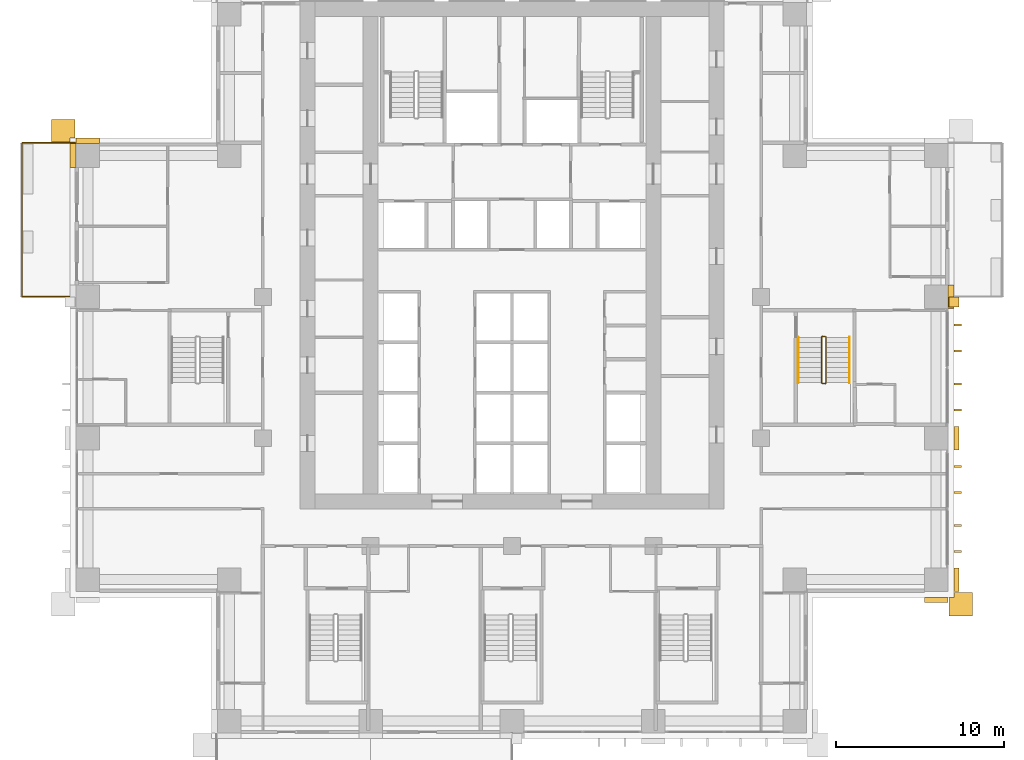
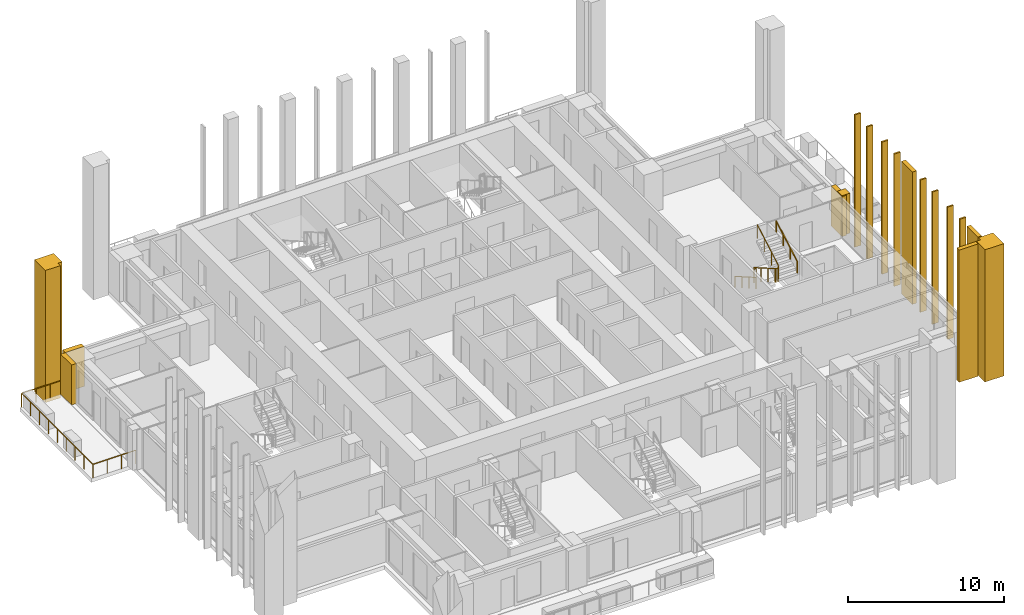
# One storey, part 15 of 17: 17 coverings, 4 railings.
"""IFC4 building model written with IfcOpenShell, lengths in metres."""

from ifc_helpers import new_model, si_unit, direction, frame, origin, origin_2d, place, context, subcontext, project, spatial, polyline, rectangle, outline, extrude, material, layer, layer_set, type_object, element, save


model = new_model("IFC4")

# Units and contexts
model_context = context("Model", 3, precision=1e-05, world=origin(), true_north=direction((0.0, 1.0)))
body_context = subcontext(model_context, "Body", "Model", "MODEL_VIEW")
ifc_project = project(units=[si_unit("LENGTHUNIT", "METRE"), si_unit("AREAUNIT", "SQUARE_METRE"), si_unit("VOLUMEUNIT", "CUBIC_METRE"), si_unit("PLANEANGLEUNIT", "RADIAN"), si_unit("MASSUNIT", "GRAM", prefix="KILO")], contexts=[model_context])

# Site, building, storey
site_placement = place(None, origin())
site = spatial("IfcSite", under=ifc_project, at=site_placement, CompositionType="ELEMENT")
building_placement = place(site_placement, origin())
building = spatial("IfcBuilding", under=site, at=building_placement, Name="Vermilion Ogive Tower", CompositionType="ELEMENT")
storey_placement = place(building_placement, frame((0.0, 0.0, 37.949951171875)))
storey = spatial("IfcBuildingStorey", under=building, at=storey_placement, Name="L07", CompositionType="ELEMENT", Elevation=37.949951171875)

# Railing
ifc_material_1 = material(Name="Stainless steel and glass", Category="steel")
railing_type_1 = type_object("IfcRailingType", Name="Balcony guard", PredefinedType="GUARDRAIL", material=ifc_material_1)
railing_1_placement = place(storey_placement, frame((-25.949951171875, 13.35009765625, -0.0400390625)))
element("IfcRailing", 1, at=railing_1_placement, inside=storey, type_object=railing_type_1, Name="Guard W01", PredefinedType="GUARDRAIL", context=body_context, shape_type="SweptSolid", body=[
    extrude(rectangle(XDim=0.048095703125, YDim=0.048095703125, at=origin_2d()), frame((0.0, 0.0, 1.076171875), z_axis=(-1.0, 0.0, 0.0), x_axis=(0.0, -1.0, 0.0)), (0.0, 0.0, 1.0), 3.16015625),
    extrude(rectangle(XDim=0.048095703125, YDim=0.048095703125, at=origin_2d()), frame((-3.16015625, 0.0, 1.076171875), z_axis=(0.0, -1.0, 0.0), x_axis=(1.0, 0.0, 0.0)), (0.0, 0.0, 1.0), 9.150146484375),
    extrude(rectangle(XDim=0.048095703125, YDim=0.048095703125, at=origin_2d()), frame((-3.16015625, -9.150146484375, 1.076171875), z_axis=(1.0, 0.0, 0.0), x_axis=(0.0, 1.0, 0.0)), (0.0, 0.0, 1.0), 3.16015625),
    extrude(rectangle(XDim=0.0419921875, YDim=0.0419921875, at=origin_2d()), origin(), (0.0, 0.0, 1.0), 1.052001953125),
    extrude(rectangle(XDim=0.0419921875, YDim=0.0419921875, at=origin_2d()), frame((-1.053466796875, 0.0, 0.0)), (0.0, 0.0, 1.0), 1.052001953125),
    extrude(rectangle(XDim=0.0419921875, YDim=0.0419921875, at=origin_2d()), frame((-2.106689453125, 0.0, 0.0)), (0.0, 0.0, 1.0), 1.052001953125),
    extrude(rectangle(XDim=0.0419921875, YDim=0.0419921875, at=origin_2d()), frame((-3.16015625, 0.0, 0.0)), (0.0, 0.0, 1.0), 1.052001953125),
    extrude(rectangle(XDim=0.0419921875, YDim=0.0419921875, at=origin_2d()), frame((-3.16015625, -1.143798828125, 0.0)), (0.0, 0.0, 1.0), 1.052001953125),
    extrude(rectangle(XDim=0.0419921875, YDim=0.0419921875, at=origin_2d()), frame((-3.16015625, -2.28759765625, 0.0)), (0.0, 0.0, 1.0), 1.052001953125),
    extrude(rectangle(XDim=0.0419921875, YDim=0.0419921875, at=origin_2d()), frame((-3.16015625, -3.431396484375, 0.0)), (0.0, 0.0, 1.0), 1.052001953125),
    extrude(rectangle(XDim=0.0419921875, YDim=0.0419921875, at=origin_2d()), frame((-3.16015625, -4.5751953125, 0.0)), (0.0, 0.0, 1.0), 1.052001953125),
    extrude(rectangle(XDim=0.0419921875, YDim=0.0419921875, at=origin_2d()), frame((-3.16015625, -5.71875, 0.0)), (0.0, 0.0, 1.0), 1.052001953125),
    extrude(rectangle(XDim=0.0419921875, YDim=0.0419921875, at=origin_2d()), frame((-3.16015625, -6.862548828125, 0.0)), (0.0, 0.0, 1.0), 1.052001953125),
    extrude(rectangle(XDim=0.0419921875, YDim=0.0419921875, at=origin_2d()), frame((-3.16015625, -8.00634765625, 0.0)), (0.0, 0.0, 1.0), 1.052001953125),
    extrude(rectangle(XDim=0.0419921875, YDim=0.0419921875, at=origin_2d()), frame((-3.16015625, -9.150146484375, 0.0)), (0.0, 0.0, 1.0), 1.052001953125),
    extrude(rectangle(XDim=0.0419921875, YDim=0.0419921875, at=origin_2d()), frame((-2.106689453125, -9.150146484375, 0.0)), (0.0, 0.0, 1.0), 1.052001953125),
    extrude(rectangle(XDim=0.0419921875, YDim=0.0419921875, at=origin_2d()), frame((-1.053466796875, -9.150146484375, 0.0)), (0.0, 0.0, 1.0), 1.052001953125),
    extrude(rectangle(XDim=0.0419921875, YDim=0.0419921875, at=origin_2d()), frame((0.0, -9.150146484375, 0.0)), (0.0, 0.0, 1.0), 1.052001953125),
])

# Coverings
ifc_material_2 = material(Name="Glazed ceramic screen")
ifc_layer = layer(ifc_material_2, 0.14990234375)
ifc_layer_set = layer_set([ifc_layer], Name="Ceramic solar screen fin")
covering_type_1 = type_object("IfcCoveringType", Name="Ceramic solar screen fin", PredefinedType="CLADDING", material=ifc_layer_set)
covering_1_placement = place(storey_placement, frame((0.0, 0.0, -0.320068359375)))
element("IfcCovering", 2, at=covering_1_placement, inside=storey, type_object=covering_type_1, Name="Solar screen blade E971", PredefinedType="CLADDING", context=body_context, shape_type="SweptSolid", body=[
    extrude(outline(polyline([(26.699951171875, -10.985107421875), (26.699951171875, -10.864990234375), (26.25, -10.864990234375), (26.25, -10.985107421875), (26.699951171875, -10.985107421875)])), origin(), (0.0, 0.0, 1.0), 10.35009765625),
])
covering_2_placement = place(storey_placement, frame((0.0, 0.0, -0.320068359375)))
element("IfcCovering", 3, at=covering_2_placement, inside=storey, type_object=covering_type_1, Name="Solar screen blade E972", PredefinedType="CLADDING", context=body_context, shape_type="SweptSolid", body=[
    extrude(outline(polyline([(26.699951171875, -9.43505859375), (26.699951171875, -9.31494140625), (26.25, -9.31494140625), (26.25, -9.43505859375), (26.699951171875, -9.43505859375)])), origin(), (0.0, 0.0, 1.0), 10.35009765625),
])
covering_3_placement = place(storey_placement, frame((0.0, 0.0, -0.320068359375)))
element("IfcCovering", 4, at=covering_3_placement, inside=storey, type_object=covering_type_1, Name="Solar screen blade E981", PredefinedType="CLADDING", context=body_context, shape_type="SweptSolid", body=[
    extrude(outline(polyline([(26.699951171875, -7.485107421875), (26.699951171875, -7.364990234375), (26.25, -7.364990234375), (26.25, -7.485107421875), (26.699951171875, -7.485107421875)])), origin(), (0.0, 0.0, 1.0), 10.35009765625),
])
covering_4_placement = place(storey_placement, frame((0.0, 0.0, -0.320068359375)))
element("IfcCovering", 5, at=covering_4_placement, inside=storey, type_object=covering_type_1, Name="Solar screen blade E982", PredefinedType="CLADDING", context=body_context, shape_type="SweptSolid", body=[
    extrude(outline(polyline([(26.699951171875, -5.93505859375), (26.699951171875, -5.81494140625), (26.25, -5.81494140625), (26.25, -5.93505859375), (26.699951171875, -5.93505859375)])), origin(), (0.0, 0.0, 1.0), 10.35009765625),
])
covering_5_placement = place(storey_placement, frame((0.0, 0.0, -0.320068359375)))
element("IfcCovering", 6, at=covering_5_placement, inside=storey, type_object=covering_type_1, Name="Solar screen blade E991", PredefinedType="CLADDING", context=body_context, shape_type="SweptSolid", body=[
    extrude(outline(polyline([(26.699951171875, -2.5849609375), (26.699951171875, -2.465087890625), (26.25, -2.465087890625), (26.25, -2.5849609375), (26.699951171875, -2.5849609375)])), origin(), (0.0, 0.0, 1.0), 10.35009765625),
])
covering_6_placement = place(storey_placement, frame((0.0, 0.0, -0.320068359375)))
element("IfcCovering", 7, at=covering_6_placement, inside=storey, type_object=covering_type_1, Name="Solar screen blade E992", PredefinedType="CLADDING", context=body_context, shape_type="SweptSolid", body=[
    extrude(outline(polyline([(26.699951171875, -1.034912109375), (26.699951171875, -0.9150390625), (26.25, -0.9150390625), (26.25, -1.034912109375), (26.699951171875, -1.034912109375)])), origin(), (0.0, 0.0, 1.0), 10.35009765625),
])
covering_7_placement = place(storey_placement, frame((0.0, 0.0, -0.320068359375)))
element("IfcCovering", 8, at=covering_7_placement, inside=storey, type_object=covering_type_1, Name="Solar screen blade E001", PredefinedType="CLADDING", context=body_context, shape_type="SweptSolid", body=[
    extrude(outline(polyline([(26.699951171875, 0.9150390625), (26.699951171875, 1.034912109375), (26.25, 1.034912109375), (26.25, 0.9150390625), (26.699951171875, 0.9150390625)])), origin(), (0.0, 0.0, 1.0), 10.35009765625),
])
covering_8_placement = place(storey_placement, frame((0.0, 0.0, -0.320068359375)))
element("IfcCovering", 9, at=covering_8_placement, inside=storey, type_object=covering_type_1, Name="Solar screen blade E002", PredefinedType="CLADDING", context=body_context, shape_type="SweptSolid", body=[
    extrude(outline(polyline([(26.699951171875, 2.465087890625), (26.699951171875, 2.5849609375), (26.25, 2.5849609375), (26.25, 2.465087890625), (26.699951171875, 2.465087890625)])), origin(), (0.0, 0.0, 1.0), 10.35009765625),
])

# Railings
ifc_material_3 = material(Name="Steel S355 painted", Category="steel")
railing_type_2 = type_object("IfcRailingType", Name="Stair guard 1100", PredefinedType="GUARDRAIL", material=ifc_material_3)
railing_2_placement = place(storey_placement, frame((18.60009765625, 1.85009765625, 0.0)))
element("IfcRailing", 10, at=railing_2_placement, inside=storey, type_object=railing_type_2, Name="L07 ST8 stair guard 4", PredefinedType="GUARDRAIL", context=body_context, shape_type="SweptSolid", body=[
    extrude(rectangle(XDim=0.048095703125, YDim=0.048095703125, at=origin_2d()), frame((0.0, 0.0, 1.076171875), z_axis=(-1.0, 0.0, 0.0), x_axis=(0.0, -1.0, 0.0)), (0.0, 0.0, 1.0), 0.150146484375),
    extrude(rectangle(XDim=0.048095703125, YDim=0.048095703125, at=origin_2d()), frame((-0.150146484375, 0.0, 1.076171875), z_axis=(-0.268277960024, -0.268277960024, 0.925231793839), x_axis=(0.707106781187, -0.707106781187, 0.0)), (0.0, 0.0, 1.0), 0.1865234375),
    extrude(rectangle(XDim=0.048095703125, YDim=0.048095703125, at=origin_2d()), frame((-0.2001953125, -0.050048828125, 1.24853515625), z_axis=(0.0, -0.866903762492, 0.498475542607), x_axis=(1.0, 0.0, 0.0)), (0.0, 0.0, 1.0), 3.114501953125),
    extrude(rectangle(XDim=0.048095703125, YDim=0.048095703125, at=origin_2d()), frame((-0.2001953125, -2.75, 2.80126953125), z_axis=(0.707106781187, -0.707106781187, 0.0), x_axis=(0.707106781187, 0.707106781187, 0.0)), (0.0, 0.0, 1.0), 0.07080078125),
    extrude(rectangle(XDim=0.048095703125, YDim=0.048095703125, at=origin_2d()), frame((-0.150146484375, -2.800048828125, 2.80126953125), z_axis=(1.0, 0.0, 0.0), x_axis=(0.0, 1.0, 0.0)), (0.0, 0.0, 1.0), 0.150146484375),
    extrude(rectangle(XDim=0.048095703125, YDim=0.048095703125, at=origin_2d()), frame((0.0, -2.800048828125, 2.80126953125), z_axis=(0.267386790225, 0.268697509785, 0.925368009307), x_axis=(-0.708833529934, 0.705375805398, 0.0)), (0.0, 0.0, 1.0), 0.186279296875),
    extrude(rectangle(XDim=0.048095703125, YDim=0.048095703125, at=origin_2d()), frame((0.0498046875, -2.75, 2.9736328125), z_axis=(0.0, 0.866903762492, 0.498475542607), x_axis=(-1.0, 0.0, 0.0)), (0.0, 0.0, 1.0), 3.114501953125),
    extrude(rectangle(XDim=0.0419921875, YDim=0.0419921875, at=origin_2d()), origin(), (0.0, 0.0, 1.0), 1.052001953125),
    extrude(rectangle(XDim=0.0419921875, YDim=0.0419921875, at=origin_2d()), frame((-0.150146484375, 0.0, 0.0)), (0.0, 0.0, 1.0), 1.052001953125),
    extrude(rectangle(XDim=0.0419921875, YDim=0.0419921875, at=origin_2d()), frame((-0.2001953125, -0.050048828125, 0.172607421875)), (0.0, 0.0, 1.0), 1.052001953125),
    extrude(rectangle(XDim=0.0419921875, YDim=0.0419921875, at=origin_2d()), frame((-0.2001953125, -0.949951171875, 0.690185546875)), (0.0, 0.0, 1.0), 1.052001953125),
    extrude(rectangle(XDim=0.0419921875, YDim=0.0419921875, at=origin_2d()), frame((-0.2001953125, -1.85009765625, 1.20751953125)), (0.0, 0.0, 1.0), 1.052001953125),
    extrude(rectangle(XDim=0.0419921875, YDim=0.0419921875, at=origin_2d()), frame((-0.2001953125, -2.75, 1.72509765625)), (0.0, 0.0, 1.0), 1.052001953125),
    extrude(rectangle(XDim=0.0419921875, YDim=0.0419921875, at=origin_2d()), frame((-0.150146484375, -2.800048828125, 1.72509765625)), (0.0, 0.0, 1.0), 1.052001953125),
    extrude(rectangle(XDim=0.0419921875, YDim=0.0419921875, at=origin_2d()), frame((0.0, -2.800048828125, 1.72509765625)), (0.0, 0.0, 1.0), 1.052001953125),
    extrude(rectangle(XDim=0.0419921875, YDim=0.0419921875, at=origin_2d()), frame((0.0498046875, -2.75, 1.8974609375)), (0.0, 0.0, 1.0), 1.052001953125),
    extrude(rectangle(XDim=0.0419921875, YDim=0.0419921875, at=origin_2d()), frame((0.0498046875, -1.85009765625, 2.4150390625)), (0.0, 0.0, 1.0), 1.052001953125),
    extrude(rectangle(XDim=0.0419921875, YDim=0.0419921875, at=origin_2d()), frame((0.0498046875, -0.949951171875, 2.932373046875)), (0.0, 0.0, 1.0), 1.052001953125),
    extrude(rectangle(XDim=0.0419921875, YDim=0.0419921875, at=origin_2d()), frame((0.0498046875, -0.050048828125, 3.449951171875)), (0.0, 0.0, 1.0), 1.052001953125),
])
ifc_material_4 = material(Name="Stainless steel", Category="steel")
railing_type_3 = type_object("IfcRailingType", Name="Stair handrail 900", PredefinedType="HANDRAIL", material=ifc_material_4)
railing_3_placement = place(storey_placement, frame((17.0, 1.800048828125, 0.172607421875)))
element("IfcRailing", 11, at=railing_3_placement, inside=storey, type_object=railing_type_3, Name="L07 ST8 stair handrail 1", PredefinedType="HANDRAIL", context=body_context, shape_type="SweptSolid", body=[
    extrude(rectangle(XDim=0.048095703125, YDim=0.048095703125, at=origin_2d()), frame((0.0, 0.0, 0.8759765625), z_axis=(0.0, -0.866903762492, 0.498475542607), x_axis=(1.0, 0.0, 0.0)), (0.0, 0.0, 1.0), 3.114501953125),
    extrude(rectangle(XDim=0.0419921875, YDim=0.0419921875, at=origin_2d()), origin(), (0.0, 0.0, 1.0), 0.851806640625),
    extrude(rectangle(XDim=0.0419921875, YDim=0.0419921875, at=origin_2d()), frame((0.0, -0.89990234375, 0.517578125)), (0.0, 0.0, 1.0), 0.851806640625),
    extrude(rectangle(XDim=0.0419921875, YDim=0.0419921875, at=origin_2d()), frame((0.0, -1.800048828125, 1.034912109375)), (0.0, 0.0, 1.0), 0.851806640625),
    extrude(rectangle(XDim=0.0419921875, YDim=0.0419921875, at=origin_2d()), frame((0.0, -2.699951171875, 1.552490234375)), (0.0, 0.0, 1.0), 0.851806640625),
])
railing_4_placement = place(storey_placement, frame((20.050048828125, -0.89990234375, 1.8974609375)))
element("IfcRailing", 12, at=railing_4_placement, inside=storey, type_object=railing_type_3, Name="L07 ST8 stair handrail 2", PredefinedType="HANDRAIL", context=body_context, shape_type="SweptSolid", body=[
    extrude(rectangle(XDim=0.048095703125, YDim=0.048095703125, at=origin_2d()), frame((0.0, 0.0, 0.8759765625), z_axis=(0.0, 0.866903762492, 0.498475542607), x_axis=(-1.0, 0.0, 0.0)), (0.0, 0.0, 1.0), 3.114501953125),
    extrude(rectangle(XDim=0.0419921875, YDim=0.0419921875, at=origin_2d()), origin(), (0.0, 0.0, 1.0), 0.851806640625),
    extrude(rectangle(XDim=0.0419921875, YDim=0.0419921875, at=origin_2d()), frame((0.0, 0.89990234375, 0.517578125)), (0.0, 0.0, 1.0), 0.851806640625),
    extrude(rectangle(XDim=0.0419921875, YDim=0.0419921875, at=origin_2d()), frame((0.0, 1.800048828125, 1.034912109375)), (0.0, 0.0, 1.0), 0.851806640625),
    extrude(rectangle(XDim=0.0419921875, YDim=0.0419921875, at=origin_2d()), frame((0.0, 2.699951171875, 1.552490234375)), (0.0, 0.0, 1.0), 0.851806640625),
])

# Coverings
ifc_material_5 = material(Name="Stone cladding", Category="masonry")
covering_type_2 = type_object("IfcCoveringType", Name="Stone corner buttress", PredefinedType="CLADDING", material=ifc_material_5)
covering_9_placement = place(storey_placement, origin())
element("IfcCovering", 13, at=covering_9_placement, inside=storey, type_object=covering_type_2, Name="Stone crease pier EK", PredefinedType="CLADDING", context=body_context, shape_type="SweptSolid", body=[
    extrude(outline(polyline([(26.550048828125, 3.60009765625), (26.550048828125, 4.199951171875), (25.949951171875, 4.199951171875), (25.949951171875, 3.60009765625), (26.550048828125, 3.60009765625)])), origin(), (0.0, 0.0, 1.0), 3.130126953125),
])
covering_10_placement = place(storey_placement, frame((0.0, 0.0, -0.320068359375)))
element("IfcCovering", 14, at=covering_10_placement, inside=storey, type_object=covering_type_2, Name="Stone corner buttress E1", PredefinedType="CLADDING", context=body_context, shape_type="SweptSolid", body=[
    extrude(outline(polyline([(25.949951171875, -13.64990234375), (26.25, -13.64990234375), (26.25, -13.35009765625), (27.35009765625, -13.35009765625), (27.35009765625, -14.75), (25.949951171875, -14.75), (25.949951171875, -13.64990234375)])), origin(), (0.0, 0.0, 1.0), 10.35009765625),
])
covering_11_placement = place(storey_placement, frame((0.0, 0.0, -0.320068359375)))
element("IfcCovering", 15, at=covering_11_placement, inside=storey, type_object=covering_type_2, Name="Stone corner buttress W1", PredefinedType="CLADDING", context=body_context, shape_type="SweptSolid", body=[
    extrude(outline(polyline([(-26.25, 13.64990234375), (-26.25, 13.35009765625), (-27.35009765625, 13.35009765625), (-27.35009765625, 14.75), (-25.949951171875, 14.75), (-25.949951171875, 13.64990234375), (-26.25, 13.64990234375)])), origin(), (0.0, 0.0, 1.0), 10.35009765625),
])
ifc_material_6 = material(Name="Stone cladding", Category="masonry")
covering_type_3 = type_object("IfcCoveringType", Name="Stone pier", PredefinedType="CLADDING", material=ifc_material_6)
covering_12_placement = place(storey_placement, frame((0.0, 0.0, -0.320068359375)))
element("IfcCovering", 16, at=covering_12_placement, inside=storey, type_object=covering_type_3, Name="Stone pier P+0252-042", PredefinedType="CLADDING", context=body_context, shape_type="SweptSolid", body=[
    extrude(outline(polyline([(26.550048828125, -3.5), (26.550048828125, -4.89990234375), (26.25, -4.89990234375), (26.25, -3.5), (26.550048828125, -3.5)])), origin(), (0.0, 0.0, 1.0), 10.35009765625),
])
covering_13_placement = place(storey_placement, frame((0.0, 0.0, -0.320068359375)))
element("IfcCovering", 17, at=covering_13_placement, inside=storey, type_object=covering_type_3, Name="Stone pier P+0252-126X2", PredefinedType="CLADDING", context=body_context, shape_type="SweptSolid", body=[
    extrude(outline(polyline([(25.89990234375, -13.949951171875), (24.5, -13.949951171875), (24.5, -13.64990234375), (25.89990234375, -13.64990234375), (25.89990234375, -13.949951171875)])), origin(), (0.0, 0.0, 1.0), 10.35009765625),
])
covering_14_placement = place(storey_placement, frame((0.0, 0.0, -0.320068359375)))
element("IfcCovering", 18, at=covering_14_placement, inside=storey, type_object=covering_type_3, Name="Stone pier P+0252-126E", PredefinedType="CLADDING", context=body_context, shape_type="SweptSolid", body=[
    extrude(outline(polyline([(26.550048828125, -13.300048828125), (26.25, -13.300048828125), (26.25, -11.89990234375), (26.550048828125, -11.89990234375), (26.550048828125, -13.300048828125)])), origin(), (0.0, 0.0, 1.0), 10.35009765625),
])
covering_15_placement = place(storey_placement, origin())
element("IfcCovering", 19, at=covering_15_placement, inside=storey, type_object=covering_type_3, Name="Stone pier P+0252+042", PredefinedType="CLADDING", context=body_context, shape_type="SweptSolid", body=[
    extrude(outline(polyline([(26.25, 4.89990234375), (26.25, 4.199951171875), (25.949951171875, 4.199951171875), (25.949951171875, 3.60009765625), (26.25, 3.60009765625), (26.25, 3.5), (25.89990234375, 3.5), (25.89990234375, 4.89990234375), (26.25, 4.89990234375)])), origin(), (0.0, 0.0, 1.0), 3.130126953125),
])
covering_16_placement = place(storey_placement, origin())
element("IfcCovering", 20, at=covering_16_placement, inside=storey, type_object=covering_type_3, Name="Stone pier P-0252+126X6", PredefinedType="CLADDING", context=body_context, shape_type="SweptSolid", body=[
    extrude(outline(polyline([(-25.89990234375, 13.300048828125), (-25.89990234375, 13.64990234375), (-24.5, 13.64990234375), (-24.5, 13.300048828125), (-24.5, 13.300048828125), (-25.89990234375, 13.300048828125)])), origin(), (0.0, 0.0, 1.0), 3.130126953125),
])
covering_17_placement = place(storey_placement, origin())
element("IfcCovering", 21, at=covering_17_placement, inside=storey, type_object=covering_type_3, Name="Stone pier P-0252+126W", PredefinedType="CLADDING", context=body_context, shape_type="SweptSolid", body=[
    extrude(outline(polyline([(-26.25, 13.300048828125), (-25.89990234375, 13.300048828125), (-25.89990234375, 11.89990234375), (-26.25, 11.89990234375), (-26.25, 13.300048828125)])), origin(), (0.0, 0.0, 1.0), 3.130126953125),
])

save(model, "model.ifc")
